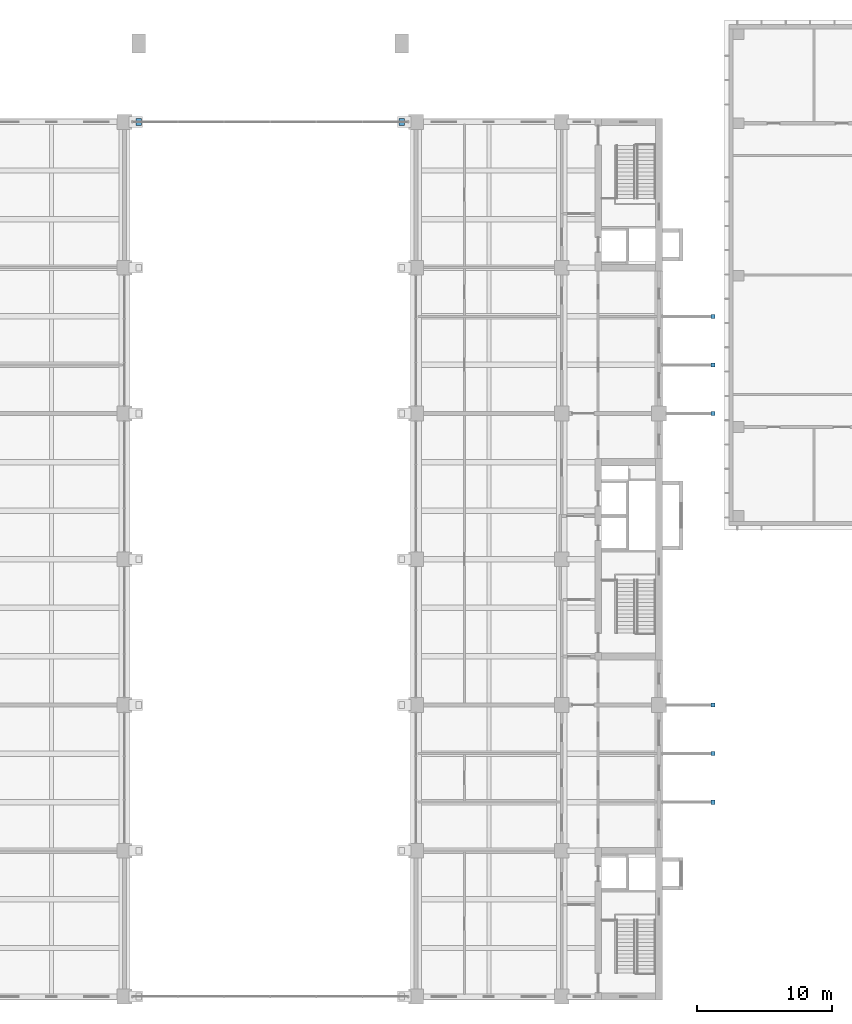
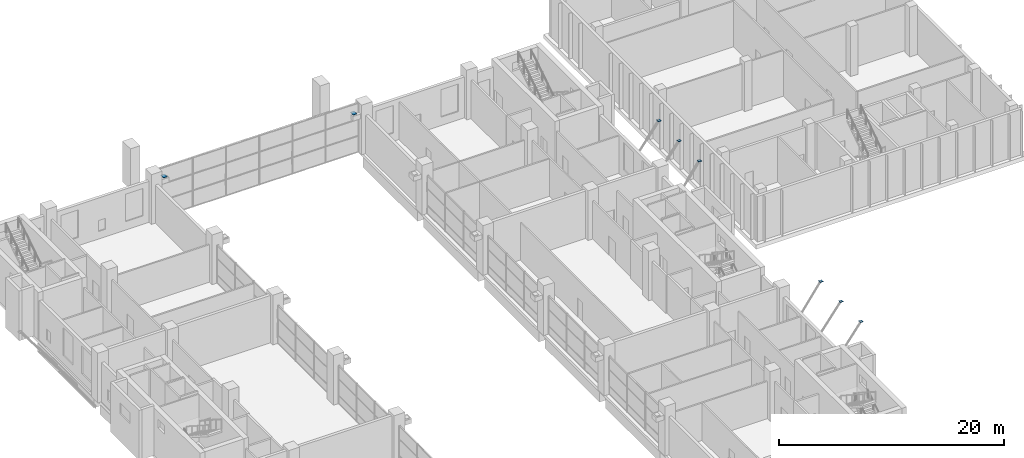
# One storey, part 34 of 38: 8 discrete accessories.
"""IFC4 building model written with IfcOpenShell, lengths in metres."""

from ifc_helpers import new_model, si_unit, direction, frame, origin, origin_2d, place, context, subcontext, project, spatial, rectangle, extrude, material, type_object, element, save


model = new_model("IFC4")

# Units and contexts
model_context = context("Model", 3, precision=1e-05, world=origin(), true_north=direction((0.0, 1.0)))
body_context = subcontext(model_context, "Body", "Model", "MODEL_VIEW")
ifc_project = project(units=[si_unit("LENGTHUNIT", "METRE"), si_unit("AREAUNIT", "SQUARE_METRE"), si_unit("VOLUMEUNIT", "CUBIC_METRE"), si_unit("PLANEANGLEUNIT", "RADIAN"), si_unit("MASSUNIT", "GRAM", prefix="KILO")], contexts=[model_context])

# Site, building, storey
site_placement = place(None, origin())
site = spatial("IfcSite", under=ifc_project, at=site_placement, CompositionType="ELEMENT")
building_placement = place(site_placement, origin())
building = spatial("IfcBuilding", under=site, at=building_placement, Name="Basin Gate Institute", CompositionType="ELEMENT")
storey_placement = place(building_placement, frame((0.0, 0.0, 16.800048828125)))
storey = spatial("IfcBuildingStorey", under=building, at=storey_placement, Name="L03", CompositionType="ELEMENT", Elevation=16.800048828125)

# Discrete accessories
ifc_material_1 = material(Name="Structural steel SN490", Category="steel")
discrete_accessory_type_1 = type_object("IfcDiscreteAccessoryType", Name="Brace end plate BP300", PredefinedType="BRACKET", material=ifc_material_1)
for number, where, z_axis, x_axis, name in (
    (1, (122.819580078125, 49.5, 4.22998046875), (0.0, 0.0, 1.0), (1.0, 0.0, 0.0), "Tray bracket E L04 tray 1.1 end plate 2"),
    (2, (122.819580078125, 53.10009765625, 4.22998046875), (0.0, 0.0, 1.0), (1.0, 0.0, 0.0), "Tray bracket E L04 tray 1.2 end plate 2"),
    (3, (122.821044921875, 56.699951171875, 4.22998046875), (0.0, 0.0, 1.0), (1.0, 0.0, 0.0), "Tray bracket E L04 tray 1.3 end plate 2"),
    (4, (122.821044921875, 78.300048828125, 4.22998046875), (0.0, 0.0, 1.0), (1.0, 0.0, 0.0), "Tray bracket E L04 tray 2.1 end plate 2"),
    (5, (122.819580078125, 81.89990234375, 4.22998046875), (0.0, 0.0, 1.0), (1.0, 0.0, 0.0), "Tray bracket E L04 tray 2.2 end plate 2"),
    (6, (122.819580078125, 85.5, 4.22998046875), (0.0, 0.0, 1.0), (1.0, 0.0, 0.0), "Tray bracket E L04 tray 2.3 end plate 2"),
):
    element("IfcDiscreteAccessory", number, at=place(storey_placement, frame(where, z_axis=z_axis, x_axis=x_axis)), inside=storey, type_object=discrete_accessory_type_1, material=ifc_material_1, Name=name, PredefinedType="BRACKET", context=body_context, shape_type="SweptSolid", body=[
        extrude(rectangle(XDim=0.300048828125, YDim=0.300048828125, at=origin_2d()), origin(), (0.0, 0.0, 1.0), 0.02001953125),
    ])
ifc_material_2 = material(Name="Stainless steel plate on PTFE sliding surface", Category="steel")
discrete_accessory_type_2 = type_object("IfcDiscreteAccessoryType", Name="Sliding bearing BR1", PredefinedType="SHOE", material=ifc_material_2)
for number, where, z_axis, x_axis, name in (
    (7, (80.25, 99.89990234375, 4.35009765625), (0.0, 0.0, 1.0), (1.0, 0.0, 0.0), "Atrium shell sliding bearing 7W"),
    (8, (99.75, 99.89990234375, 4.35009765625), (0.0, 0.0, 1.0), (1.0, 0.0, 0.0), "Atrium shell sliding bearing 7E"),
):
    element("IfcDiscreteAccessory", number, at=place(storey_placement, frame(where, z_axis=z_axis, x_axis=x_axis)), inside=storey, type_object=discrete_accessory_type_2, material=ifc_material_2, Name=name, PredefinedType="SHOE", context=body_context, shape_type="SweptSolid", body=[
        extrude(rectangle(XDim=0.39990234375, YDim=0.5, at=origin_2d()), origin(), (0.0, 0.0, 1.0), 0.050048828125),
    ])

save(model, "model.ifc")
